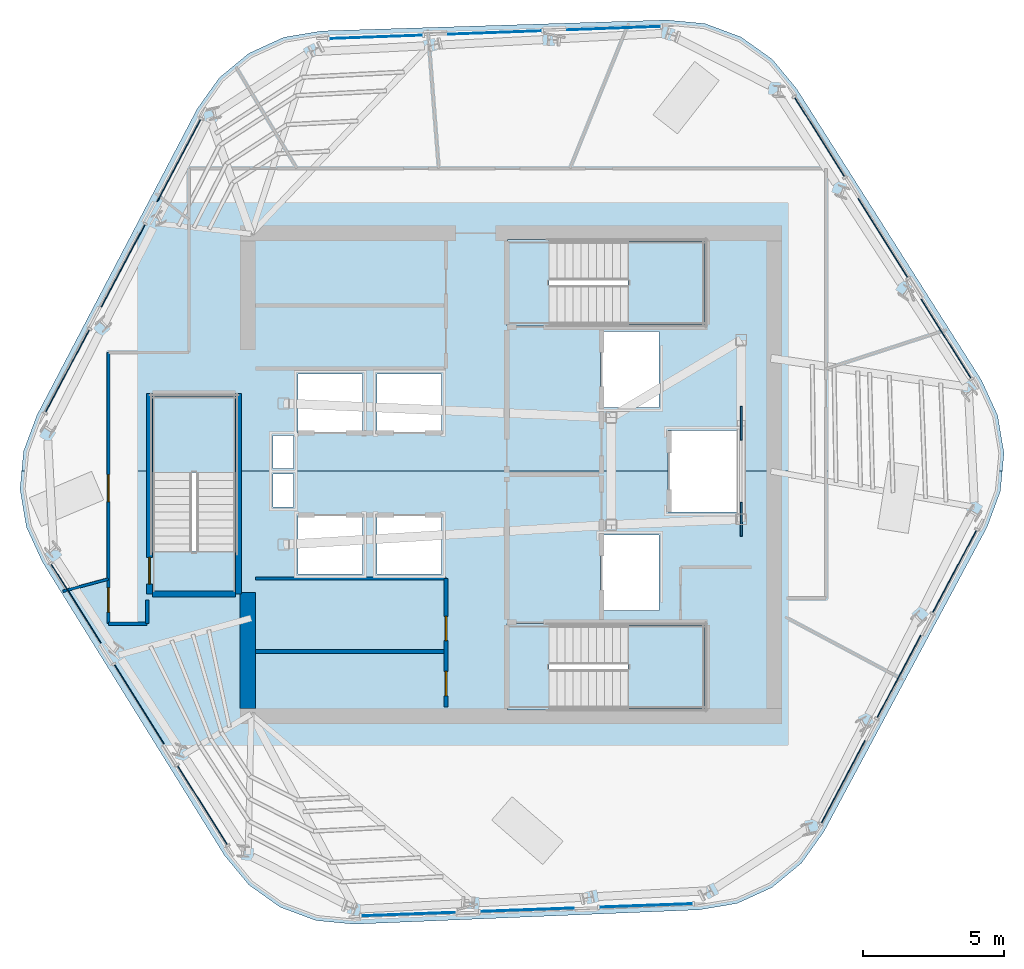
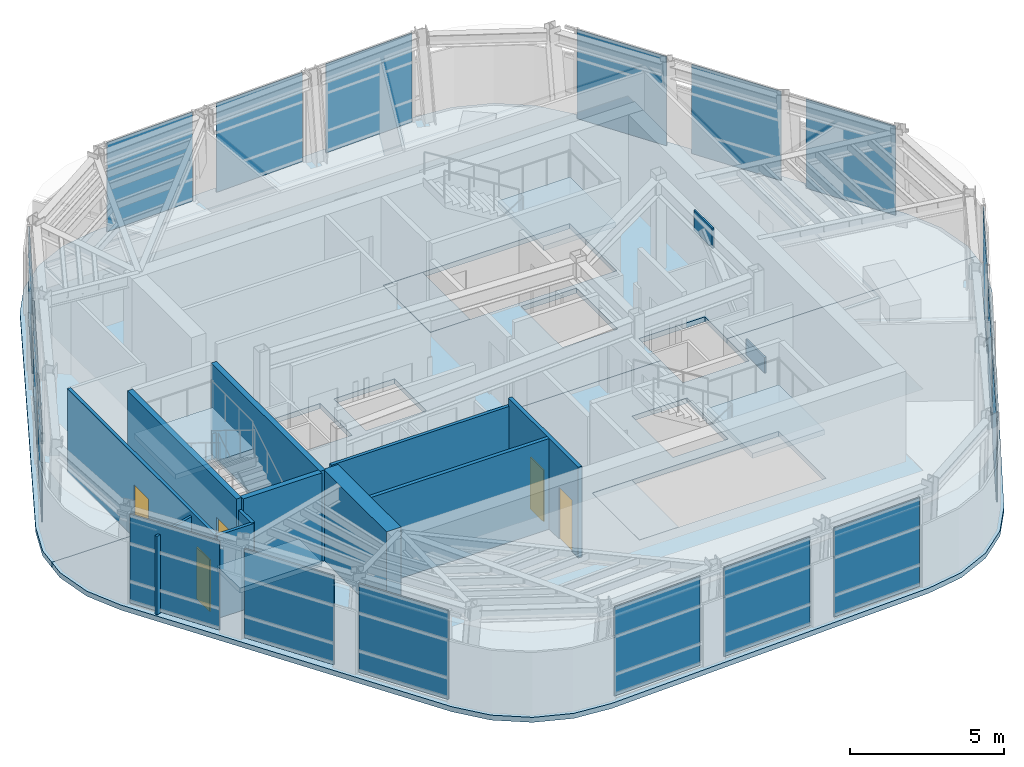
# One storey, part 6 of 13: 20 plates, 11 walls, 8 slabs, 5 doors, 5 openings, 9 elements without a shape of their own.
"""IFC4 building model written with IfcOpenShell, lengths in metres."""

from ifc_helpers import new_model, si_unit, direction, frame, frame_2d, origin, origin_2d, place, context, subcontext, project, spatial, polyline, rectangle, outline, extrude, material, layer, layer_set, type_object, element, fill, aggregate, save


model = new_model("IFC4")

# Units and contexts
model_context = context("Model", 3, precision=1e-05, world=origin(), true_north=direction((0.0, 1.0)))
body_context = subcontext(model_context, "Body", "Model", "MODEL_VIEW")
ifc_project = project(units=[si_unit("LENGTHUNIT", "METRE"), si_unit("AREAUNIT", "SQUARE_METRE"), si_unit("VOLUMEUNIT", "CUBIC_METRE"), si_unit("PLANEANGLEUNIT", "RADIAN"), si_unit("MASSUNIT", "GRAM", prefix="KILO")], contexts=[model_context])

# Site, building, storey
site_placement = place(None, origin())
site = spatial("IfcSite", under=ifc_project, at=site_placement, CompositionType="ELEMENT")
building_placement = place(site_placement, origin())
building = spatial("IfcBuilding", under=site, at=building_placement, Name="Valkerne Bourse Tower", CompositionType="ELEMENT")
storey_placement = place(building_placement, frame((0.0, 0.0, 292.60009765625)))
storey = spatial("IfcBuildingStorey", under=building, at=storey_placement, Name="L74", CompositionType="ELEMENT", Elevation=292.60009765625)

# Curtain wall, plates
ifc_material_1 = material(Name="Aluminium AA 6063-T6", Category="aluminium")
ifc_layer_1 = layer(ifc_material_1, 0.2451171875)
ifc_layer_set_1 = layer_set([ifc_layer_1], Name="Aluminium AA 6063-T6")
curtain_wall_type = type_object("IfcCurtainWallType", Name="CW-05", PredefinedType="NOTDEFINED", material=ifc_layer_set_1)
curtain_wall_1_placement = place(storey_placement, origin())
curtain_wall_1 = element("IfcCurtainWall", 1, at=curtain_wall_1_placement, inside=storey, type_object=curtain_wall_type, Name="L74 Hexagonal Stick Curtain Wall Face 1", PredefinedType="NOTDEFINED")
ifc_material_2 = material(Name="Glass IGU Low-E Double Glazed", Category="glass")
ifc_layer_2 = layer(ifc_material_2, 0.031982421875)
ifc_layer_set_2 = layer_set([ifc_layer_2], Name="Glass IGU Low-E Double Glazed")
plate_type_1 = type_object("IfcPlateType", Name="CW-PNL-IGU-32", PredefinedType="CURTAIN_PANEL", material=ifc_layer_set_2)
plate_1_placement = place(storey_placement, frame((50.439697265625, 42.6826171875, 0.02978515625), z_axis=(0.0, 0.0, 1.0), x_axis=(-0.999327909938, -0.036656901385, 0.0)))
plate_1 = element("IfcPlate", 2, at=plate_1_placement, type_object=plate_type_1, Name="CW-L74-F1 Curtain Panel 00", PredefinedType="CURTAIN_PANEL", context=body_context, shape_type="SweptSolid", body=[
    extrude(rectangle(XDim=3.2919921875, YDim=0.031982421875, at=origin_2d()), origin(), (0.0, 0.0, 1.0), 3.5400390625),
])
plate_2_placement = place(storey_placement, frame((46.230712890625, 42.5283203125, 0.02978515625), z_axis=(0.0, 0.0, 1.0), x_axis=(-0.999328747501, -0.0366340609, 0.0)))
plate_2 = element("IfcPlate", 3, at=plate_2_placement, type_object=plate_type_1, Name="CW-L74-F1 Curtain Panel 01", PredefinedType="CURTAIN_PANEL", context=body_context, shape_type="SweptSolid", body=[
    extrude(rectangle(XDim=3.2919921875, YDim=0.031982421875, at=origin_2d()), origin(), (0.0, 0.0, 1.0), 3.5400390625),
])
plate_3_placement = place(storey_placement, frame((42.021484375, 42.3740234375, 0.02978515625), z_axis=(0.0, 0.0, 1.0), x_axis=(-0.999327909938, -0.036656901385, 0.0)))
plate_3 = element("IfcPlate", 4, at=plate_3_placement, type_object=plate_type_1, Name="CW-L74-F1 Curtain Panel 02", PredefinedType="CURTAIN_PANEL", context=body_context, shape_type="SweptSolid", body=[
    extrude(rectangle(XDim=3.2919921875, YDim=0.031982421875, at=origin_2d()), origin(), (0.0, 0.0, 1.0), 3.5400390625),
])
aggregate(curtain_wall_1, [plate_1, plate_2, plate_3])

curtain_wall_2_placement = place(storey_placement, origin())
curtain_wall_2 = element("IfcCurtainWall", 5, at=curtain_wall_2_placement, inside=storey, type_object=curtain_wall_type, Name="L74 Hexagonal Stick Curtain Wall Face 2", PredefinedType="NOTDEFINED")
plate_4_placement = place(storey_placement, frame((35.038330078125, 37.993408203125, 0.02978515625), z_axis=(0.0, 0.0, 1.0), x_axis=(-0.467946624174, -0.883756729493, 0.0)))
plate_4 = element("IfcPlate", 6, at=plate_4_placement, type_object=plate_type_1, Name="CW-L74-F2 Curtain Panel 00", PredefinedType="CURTAIN_PANEL", context=body_context, shape_type="SweptSolid", body=[
    extrude(rectangle(XDim=3.2919921875, YDim=0.031982421875, at=origin_2d()), origin(), (0.0, 0.0, 1.0), 3.5400390625),
])
plate_5_placement = place(storey_placement, frame((33.0673828125, 34.27099609375, 0.02978515625), z_axis=(0.0, 0.0, 1.0), x_axis=(-0.467918263062, -0.883771746037, 0.0)))
plate_5 = element("IfcPlate", 7, at=plate_5_placement, type_object=plate_type_1, Name="CW-L74-F2 Curtain Panel 01", PredefinedType="CURTAIN_PANEL", context=body_context, shape_type="SweptSolid", body=[
    extrude(rectangle(XDim=3.2919921875, YDim=0.031982421875, at=origin_2d()), origin(), (0.0, 0.0, 1.0), 3.5400390625),
])
plate_6_placement = place(storey_placement, frame((31.096435546875, 30.548583984375, 0.02978515625), z_axis=(0.0, 0.0, 1.0), x_axis=(-0.467928081072, -0.883766547763, 0.0)))
plate_6 = element("IfcPlate", 8, at=plate_6_placement, type_object=plate_type_1, Name="CW-L74-F2 Curtain Panel 02", PredefinedType="CURTAIN_PANEL", context=body_context, shape_type="SweptSolid", body=[
    extrude(rectangle(XDim=3.2919921875, YDim=0.031982421875, at=origin_2d()), origin(), (0.0, 0.0, 1.0), 3.5400390625),
])
aggregate(curtain_wall_2, [plate_4, plate_5, plate_6])

curtain_wall_3_placement = place(storey_placement, origin())
curtain_wall_3 = element("IfcCurtainWall", 9, at=curtain_wall_3_placement, inside=storey, type_object=curtain_wall_type, Name="L74 Hexagonal Stick Curtain Wall Face 3", PredefinedType="NOTDEFINED")
plate_7_placement = place(storey_placement, frame((31.398681640625, 22.310791015625, 0.02978515625), z_axis=(0.0, 0.0, 1.0), x_axis=(0.531404557773, -0.847118171201, 0.0)))
plate_7 = element("IfcPlate", 10, at=plate_7_placement, type_object=plate_type_1, Name="CW-L74-F3 Curtain Panel 00", PredefinedType="CURTAIN_PANEL", context=body_context, shape_type="SweptSolid", body=[
    extrude(rectangle(XDim=3.2919921875, YDim=0.031982421875, at=origin_2d()), origin(), (0.0, 0.0, 1.0), 3.5400390625),
])
plate_8_placement = place(storey_placement, frame((33.63671875, 18.74267578125, 0.02978515625), z_axis=(0.0, 0.0, 1.0), x_axis=(0.531398207984, -0.847122154445, 0.0)))
plate_8 = element("IfcPlate", 11, at=plate_8_placement, type_object=plate_type_1, Name="CW-L74-F3 Curtain Panel 01", PredefinedType="CURTAIN_PANEL", context=body_context, shape_type="SweptSolid", body=[
    extrude(rectangle(XDim=3.2919921875, YDim=0.031982421875, at=origin_2d()), origin(), (0.0, 0.0, 1.0), 3.5400390625),
])
plate_9_placement = place(storey_placement, frame((35.875, 15.174560546875, 0.02978515625), z_axis=(0.0, 0.0, 1.0), x_axis=(0.531404557773, -0.847118171201, 0.0)))
plate_9 = element("IfcPlate", 12, at=plate_9_placement, type_object=plate_type_1, Name="CW-L74-F3 Curtain Panel 02", PredefinedType="CURTAIN_PANEL", context=body_context, shape_type="SweptSolid", body=[
    extrude(rectangle(XDim=3.2919921875, YDim=0.031982421875, at=origin_2d()), origin(), (0.0, 0.0, 1.0), 3.5400390625),
])
aggregate(curtain_wall_3, [plate_7, plate_8, plate_9])

curtain_wall_4_placement = place(storey_placement, origin())
curtain_wall_4 = element("IfcCurtainWall", 13, at=curtain_wall_4_placement, inside=storey, type_object=curtain_wall_type, Name="L74 Hexagonal Stick Curtain Wall Face 4", PredefinedType="NOTDEFINED")
plate_10_placement = place(storey_placement, frame((43.160400390625, 11.3173828125, 0.02978515625), z_axis=(0.0, 0.0, 1.0), x_axis=(0.999327909938, 0.036656901385, 0.0)))
plate_10 = element("IfcPlate", 14, at=plate_10_placement, type_object=plate_type_1, Name="CW-L74-F4 Curtain Panel 00", PredefinedType="CURTAIN_PANEL", context=body_context, shape_type="SweptSolid", body=[
    extrude(rectangle(XDim=3.2919921875, YDim=0.031982421875, at=origin_2d()), origin(), (0.0, 0.0, 1.0), 3.5400390625),
])
plate_11_placement = place(storey_placement, frame((47.369384765625, 11.4716796875, 0.02978515625), z_axis=(0.0, 0.0, 1.0), x_axis=(0.999328747501, 0.0366340609, 0.0)))
plate_11 = element("IfcPlate", 15, at=plate_11_placement, type_object=plate_type_1, Name="CW-L74-F4 Curtain Panel 01", PredefinedType="CURTAIN_PANEL", context=body_context, shape_type="SweptSolid", body=[
    extrude(rectangle(XDim=3.2919921875, YDim=0.031982421875, at=origin_2d()), origin(), (0.0, 0.0, 1.0), 3.5400390625),
])
plate_12_placement = place(storey_placement, frame((51.57861328125, 11.6259765625, 0.02978515625), z_axis=(0.0, 0.0, 1.0), x_axis=(0.999327909938, 0.036656901385, 0.0)))
plate_12 = element("IfcPlate", 16, at=plate_12_placement, type_object=plate_type_1, Name="CW-L74-F4 Curtain Panel 02", PredefinedType="CURTAIN_PANEL", context=body_context, shape_type="SweptSolid", body=[
    extrude(rectangle(XDim=3.2919921875, YDim=0.031982421875, at=origin_2d()), origin(), (0.0, 0.0, 1.0), 3.5400390625),
])
aggregate(curtain_wall_4, [plate_10, plate_11, plate_12])

curtain_wall_5_placement = place(storey_placement, origin())
curtain_wall_5 = element("IfcCurtainWall", 17, at=curtain_wall_5_placement, inside=storey, type_object=curtain_wall_type, Name="L74 Hexagonal Stick Curtain Wall Face 5", PredefinedType="NOTDEFINED")
plate_13_placement = place(storey_placement, frame((58.561767578125, 16.006591796875, 0.02978515625), z_axis=(0.0, 0.0, 1.0), x_axis=(0.467946624174, 0.883756729493, 0.0)))
plate_13 = element("IfcPlate", 18, at=plate_13_placement, type_object=plate_type_1, Name="CW-L74-F5 Curtain Panel 00", PredefinedType="CURTAIN_PANEL", context=body_context, shape_type="SweptSolid", body=[
    extrude(rectangle(XDim=3.2919921875, YDim=0.031982421875, at=origin_2d()), origin(), (0.0, 0.0, 1.0), 3.5400390625),
])
plate_14_placement = place(storey_placement, frame((60.53271484375, 19.72900390625, 0.02978515625), z_axis=(0.0, 0.0, 1.0), x_axis=(0.467918263062, 0.883771746037, 0.0)))
plate_14 = element("IfcPlate", 19, at=plate_14_placement, type_object=plate_type_1, Name="CW-L74-F5 Curtain Panel 01", PredefinedType="CURTAIN_PANEL", context=body_context, shape_type="SweptSolid", body=[
    extrude(rectangle(XDim=3.2919921875, YDim=0.031982421875, at=origin_2d()), origin(), (0.0, 0.0, 1.0), 3.5400390625),
])
plate_15_placement = place(storey_placement, frame((62.50341796875, 23.451416015625, 0.02978515625), z_axis=(0.0, 0.0, 1.0), x_axis=(0.467928081072, 0.883766547763, 0.0)))
plate_15 = element("IfcPlate", 20, at=plate_15_placement, type_object=plate_type_1, Name="CW-L74-F5 Curtain Panel 02", PredefinedType="CURTAIN_PANEL", context=body_context, shape_type="SweptSolid", body=[
    extrude(rectangle(XDim=3.2919921875, YDim=0.031982421875, at=origin_2d()), origin(), (0.0, 0.0, 1.0), 3.5400390625),
])
aggregate(curtain_wall_5, [plate_13, plate_14, plate_15])

curtain_wall_6_placement = place(storey_placement, origin())
curtain_wall_6 = element("IfcCurtainWall", 21, at=curtain_wall_6_placement, inside=storey, type_object=curtain_wall_type, Name="L74 Hexagonal Stick Curtain Wall Face 6", PredefinedType="NOTDEFINED")
plate_16_placement = place(storey_placement, frame((62.201416015625, 31.689208984375, 0.02978515625), z_axis=(0.0, 0.0, 1.0), x_axis=(-0.531404557773, 0.847118171201, 0.0)))
plate_16 = element("IfcPlate", 22, at=plate_16_placement, type_object=plate_type_1, Name="CW-L74-F6 Curtain Panel 00", PredefinedType="CURTAIN_PANEL", context=body_context, shape_type="SweptSolid", body=[
    extrude(rectangle(XDim=3.2919921875, YDim=0.031982421875, at=origin_2d()), origin(), (0.0, 0.0, 1.0), 3.5400390625),
])
plate_17_placement = place(storey_placement, frame((59.963134765625, 35.25732421875, 0.02978515625), z_axis=(0.0, 0.0, 1.0), x_axis=(-0.531398207984, 0.847122154445, 0.0)))
plate_17 = element("IfcPlate", 23, at=plate_17_placement, type_object=plate_type_1, Name="CW-L74-F6 Curtain Panel 01", PredefinedType="CURTAIN_PANEL", context=body_context, shape_type="SweptSolid", body=[
    extrude(rectangle(XDim=3.2919921875, YDim=0.031982421875, at=origin_2d()), origin(), (0.0, 0.0, 1.0), 3.5400390625),
])
plate_18_placement = place(storey_placement, frame((57.724853515625, 38.825439453125, 0.02978515625), z_axis=(0.0, 0.0, 1.0), x_axis=(-0.531404557773, 0.847118171201, 0.0)))
plate_18 = element("IfcPlate", 24, at=plate_18_placement, type_object=plate_type_1, Name="CW-L74-F6 Curtain Panel 02", PredefinedType="CURTAIN_PANEL", context=body_context, shape_type="SweptSolid", body=[
    extrude(rectangle(XDim=3.2919921875, YDim=0.031982421875, at=origin_2d()), origin(), (0.0, 0.0, 1.0), 3.5400390625),
])
aggregate(curtain_wall_6, [plate_16, plate_17, plate_18])

# Plates
ifc_material_3 = material(Name="Steel ASTM A572 Grade 50", Category="steel")
ifc_layer_3 = layer(ifc_material_3, 0.06005859375)
ifc_layer_set_3 = layer_set([ifc_layer_3], Name="Steel ASTM A572 Grade 50")
plate_type_2 = type_object("IfcPlateType", Name="PLT-GUS-60", PredefinedType="SHEET", material=ifc_layer_set_3)
for number, where, z_axis, x_axis, name in (
    (25, (54.949951171875, 25.300048828125, -0.18017578125), (0.0, 0.0, 1.0), (0.0, 1.0, 0.0), "L74 Brace Node Gusset Plate PLT-GUS-END-L74-464"),
    (26, (54.949951171875, 28.699951171875, 2.8935546875), (0.0, 0.0, 1.0), (0.0, 1.0, 0.0), "L74 Brace Node Gusset Plate PLT-GUS-END-L74-465"),
):
    element("IfcPlate", number, at=place(storey_placement, frame(where, z_axis=z_axis, x_axis=x_axis)), inside=storey, type_object=plate_type_2, Name=name, PredefinedType="SHEET", context=body_context, shape_type="SweptSolid", body=[
        extrude(rectangle(XDim=1.199951171875, YDim=0.06005859375, at=origin_2d()), origin(), (0.0, 0.0, 1.0), 0.800048828125),
    ])

# Slabs
ifc_material_4 = material(Name="Concrete C40/50", Category="concrete")
ifc_layer_4 = layer(ifc_material_4, 0.25)
ifc_layer_set_4 = layer_set([ifc_layer_4], Name="Concrete C40/50")
slab_type_1 = type_object("IfcSlabType", Name="SLB-RMP-LND-250", PredefinedType="LANDING", material=ifc_layer_set_4)
slab_1_placement = place(storey_placement, frame((0.0, 0.0, -0.2001953125)))
element("IfcSlab", 27, at=slab_1_placement, inside=storey, type_object=slab_type_1, Name="L74 ST-1 Floor Landing Slab", PredefinedType="LANDING", context=body_context, shape_type="SweptSolid", body=[
    extrude(outline(polyline([(46.669921875, 18.5400390625), (48.14990234375, 18.5400390625), (48.14990234375, 21.610107421875), (46.669921875, 21.610107421875), (46.669921875, 18.5400390625)])), origin(), (0.0, 0.0, 1.0), 0.2001953125),
])
slab_2_placement = place(storey_placement, frame((0.0, 0.0, -0.2001953125)))
element("IfcSlab", 28, at=slab_2_placement, inside=storey, type_object=slab_type_1, Name="L74 ST-2 Floor Landing Slab", PredefinedType="LANDING", context=body_context, shape_type="SweptSolid", body=[
    extrude(outline(polyline([(46.669921875, 32.139892578125), (48.14990234375, 32.139892578125), (48.14990234375, 35.2099609375), (46.669921875, 35.2099609375), (46.669921875, 32.139892578125)])), origin(), (0.0, 0.0, 1.0), 0.2001953125),
])
slab_3_placement = place(storey_placement, frame((0.0, 0.0, -0.2001953125)))
element("IfcSlab", 29, at=slab_3_placement, inside=storey, type_object=slab_type_1, Name="L74 ST-3 Floor Landing Slab", PredefinedType="LANDING", context=body_context, shape_type="SweptSolid", body=[
    extrude(outline(polyline([(37.110107421875, 22.669921875), (37.110107421875, 24.14990234375), (34.0400390625, 24.14990234375), (34.0400390625, 22.669921875), (37.110107421875, 22.669921875)])), origin(), (0.0, 0.0, 1.0), 0.2001953125),
])

# Stair, slab
stair_type = type_object("IfcStairType", Name="ST-CORE-1400", PredefinedType="HALF_TURN_STAIR", material=ifc_material_4)
stair_1_placement = place(storey_placement, origin())
stair_1 = element("IfcStair", 30, at=stair_1_placement, inside=storey, type_object=stair_type, Name="L74 ST-1", PredefinedType="HALF_TURN_STAIR")
ifc_layer_5 = layer(ifc_material_4, 0.179931640625)
ifc_layer_set_5 = layer_set([ifc_layer_5], Name="Concrete C40/50")
slab_type_2 = type_object("IfcSlabType", Name="SLB-ST-LND-180", PredefinedType="LANDING", material=ifc_layer_set_5)
slab_4_placement = place(storey_placement, frame((0.0, 0.0, 1.699951171875)))
slab_4 = element("IfcSlab", 31, at=slab_4_placement, type_object=slab_type_2, Name="ST-1 landing 1", PredefinedType="LANDING", context=body_context, shape_type="SweptSolid", body=[
    extrude(outline(polyline([(50.949951171875, 18.60009765625), (53.64990234375, 18.60009765625), (53.64990234375, 21.550048828125), (50.949951171875, 21.550048828125), (50.949951171875, 18.60009765625)])), origin(), (0.0, 0.0, 1.0), 0.199951171875),
])
aggregate(stair_1, [slab_4])

stair_2_placement = place(storey_placement, origin())
stair_2 = element("IfcStair", 32, at=stair_2_placement, inside=storey, type_object=stair_type, Name="L74 ST-2", PredefinedType="HALF_TURN_STAIR")
slab_5_placement = place(storey_placement, frame((0.0, 0.0, 1.699951171875)))
slab_5 = element("IfcSlab", 33, at=slab_5_placement, type_object=slab_type_2, Name="ST-2 landing 1", PredefinedType="LANDING", context=body_context, shape_type="SweptSolid", body=[
    extrude(outline(polyline([(50.949951171875, 32.199951171875), (53.64990234375, 32.199951171875), (53.64990234375, 35.14990234375), (50.949951171875, 35.14990234375), (50.949951171875, 32.199951171875)])), origin(), (0.0, 0.0, 1.0), 0.199951171875),
])
aggregate(stair_2, [slab_5])

stair_3_placement = place(storey_placement, origin())
stair_3 = element("IfcStair", 34, at=stair_3_placement, inside=storey, type_object=stair_type, Name="L74 ST-3", PredefinedType="HALF_TURN_STAIR")
slab_6_placement = place(storey_placement, frame((0.0, 0.0, 1.699951171875)))
slab_6 = element("IfcSlab", 35, at=slab_6_placement, type_object=slab_type_2, Name="ST-3 landing 1", PredefinedType="LANDING", context=body_context, shape_type="SweptSolid", body=[
    extrude(outline(polyline([(37.050048828125, 26.949951171875), (37.050048828125, 29.64990234375), (34.10009765625, 29.64990234375), (34.10009765625, 26.949951171875), (37.050048828125, 26.949951171875)])), origin(), (0.0, 0.0, 1.0), 0.199951171875),
])
aggregate(stair_3, [slab_6])

# Slabs
ifc_layer_6 = layer(ifc_material_4, 0.199951171875)
ifc_layer_set_6 = layer_set([ifc_layer_6], Name="Concrete C40/50")
slab_type_3 = type_object("IfcSlabType", Name="SLB-TOW-200", PredefinedType="FLOOR", material=ifc_layer_set_6)
slab_7_placement = place(storey_placement, frame((0.0, 0.0, -0.2001953125)))
element("IfcSlab", 36, at=slab_7_placement, inside=storey, type_object=slab_type_3, Name="L74 Hexagonal Composite Floor Slab S", PredefinedType="FLOOR", context=body_context, shape_type="SweptSolid", body=[
    extrude(outline(polyline([(64.126220703125, 26.28857421875), (63.65283203125, 25.01611328125), (57.876220703125, 14.235595703125), (57.08984375, 13.129150390625), (56.0439453125, 12.263916015625), (54.809814453125, 11.69873046875), (53.47119140625, 11.472412109375), (41.251220703125, 10.963623046875), (39.899658203125, 11.09130859375), (38.627197265625, 11.564453125), (37.520751953125, 12.350830078125), (36.655517578125, 13.396728515625), (30.20751953125, 23.789794921875), (29.642578125, 25.024169921875), (29.416015625, 26.362548828125), (29.476318359375, 27.0), (34.034912109375, 27.0), (34.034912109375, 22.6650390625), (37.114990234375, 22.6650390625), (37.114990234375, 27.0), (52.360107421875, 27.0), (52.360107421875, 25.56005859375), (54.840087890625, 25.56005859375), (54.840087890625, 27.0), (64.193359375, 27.0), (64.126220703125, 26.28857421875)]), holes=[polyline([(39.260009765625, 25.43994140625), (39.260009765625, 23.360107421875), (41.5400390625, 23.360107421875), (41.5400390625, 25.43994140625), (39.260009765625, 25.43994140625)]), polyline([(44.340087890625, 25.43994140625), (42.06005859375, 25.43994140625), (42.06005859375, 23.360107421875), (44.340087890625, 23.360107421875), (44.340087890625, 25.43994140625)]), polyline([(38.3798828125, 26.89990234375), (38.3798828125, 25.72998046875), (39.10009765625, 25.72998046875), (39.10009765625, 26.89990234375), (38.3798828125, 26.89990234375)]), polyline([(46.6650390625, 21.614990234375), (46.6650390625, 18.534912109375), (53.675048828125, 18.534912109375), (53.675048828125, 21.614990234375), (46.6650390625, 21.614990234375)]), polyline([(52.0400390625, 24.739990234375), (49.9599609375, 24.739990234375), (49.9599609375, 22.06005859375), (52.0400390625, 22.06005859375), (52.0400390625, 24.739990234375)])]), origin(), (0.0, 0.0, 1.0), 0.2001953125),
])
slab_8_placement = place(storey_placement, frame((0.0, 0.0, -0.2001953125)))
element("IfcSlab", 37, at=slab_8_placement, inside=storey, type_object=slab_type_3, Name="L74 Hexagonal Composite Floor Slab N", PredefinedType="FLOOR", context=body_context, shape_type="SweptSolid", body=[
    extrude(outline(polyline([(64.02734375, 28.978515625), (64.25390625, 27.639892578125), (64.193359375, 27.0), (54.840087890625, 27.0), (54.840087890625, 28.43994140625), (52.360107421875, 28.43994140625), (52.360107421875, 27.0), (37.114990234375, 27.0), (37.114990234375, 29.675048828125), (34.034912109375, 29.675048828125), (34.034912109375, 27.0), (29.476318359375, 27.0), (29.5439453125, 27.714111328125), (30.01708984375, 28.986328125), (35.6865234375, 39.82373046875), (36.472900390625, 40.93017578125), (37.518798828125, 41.79541015625), (38.753173828125, 42.360595703125), (40.091552734375, 42.5869140625), (52.316162109375, 42.974609375), (53.66748046875, 42.8466796875), (54.93994140625, 42.37353515625), (56.04638671875, 41.587158203125), (56.91162109375, 40.541259765625), (63.46240234375, 30.212646484375), (64.02734375, 28.978515625)]), holes=[polyline([(39.10009765625, 28.27001953125), (38.3798828125, 28.27001953125), (38.3798828125, 27.10009765625), (39.10009765625, 27.10009765625), (39.10009765625, 28.27001953125)]), polyline([(41.5400390625, 30.43994140625), (39.260009765625, 30.43994140625), (39.260009765625, 28.360107421875), (41.5400390625, 28.360107421875), (41.5400390625, 30.43994140625)]), polyline([(42.06005859375, 30.43994140625), (42.06005859375, 28.360107421875), (44.340087890625, 28.360107421875), (44.340087890625, 30.43994140625), (42.06005859375, 30.43994140625)]), polyline([(52.0400390625, 31.93994140625), (49.9599609375, 31.93994140625), (49.9599609375, 29.260009765625), (52.0400390625, 29.260009765625), (52.0400390625, 31.93994140625)]), polyline([(53.675048828125, 35.215087890625), (46.6650390625, 35.215087890625), (46.6650390625, 32.135009765625), (53.675048828125, 32.135009765625), (53.675048828125, 35.215087890625)])]), origin(), (0.0, 0.0, 1.0), 0.2001953125),
])

# Walls
ifc_material_5 = material(Name="Concrete C55/67", Category="concrete")
ifc_layer_7 = layer(ifc_material_5, 0.550048828125)
ifc_layer_set_7 = layer_set([ifc_layer_7], Name="Concrete C55/67")
wall_type_1 = type_object("IfcWallType", Name="W-CORE-550", PredefinedType="SHEAR", material=ifc_layer_set_7)
wall_1_placement = place(storey_placement, frame((37.47509765625, 18.60009765625, 0.0), z_axis=(0.0, 0.0, 1.0), x_axis=(0.0, 1.0, 0.0)))
element("IfcWall", 38, at=wall_1_placement, inside=storey, type_object=wall_type_1, Name="L74 Core Shear Wall WEST-S", PredefinedType="SHEAR", context=body_context, shape_type="SweptSolid", body=[
    extrude(rectangle(XDim=4.099853515625, YDim=0.550048828125, at=frame_2d((2.0498046875, 0.0))), origin(), (0.0, 0.0, 1.0), 3.599853515625),
])
ifc_material_6 = material(Name="Gypsum Board Steel-Stud Partition", Category="steel")
ifc_layer_8 = layer(ifc_material_6, 0.117919921875)
ifc_layer_set_8 = layer_set([ifc_layer_8], Name="Gypsum Board Steel-Stud Partition")
wall_type_2 = type_object("IfcWallType", Name="W-CORR-140", PredefinedType="PARTITIONING", material=ifc_layer_set_8)
wall_2_placement = place(storey_placement, frame((37.75, 23.199951171875, 0.0), z_axis=(0.0, 0.0, 1.0), x_axis=(1.0, 0.0, 0.0)))
element("IfcWall", 39, at=wall_2_placement, inside=storey, type_object=wall_type_2, Name="L74 LV7 Low-Bank North Wall", PredefinedType="PARTITIONING", context=body_context, shape_type="SweptSolid", body=[
    extrude(rectangle(XDim=6.75, YDim=0.117919921875, at=frame_2d((3.375, 0.0))), origin(), (0.0, 0.0, 1.0), 3.2998046875),
])
wall_3_placement = place(storey_placement, frame((33.91796875, 22.43994140625, 0.0), z_axis=(0.0, 0.0, 1.0), x_axis=(0.002325575107, -0.999997295847, 0.0)))
element("IfcWall", 40, at=wall_3_placement, inside=storey, type_object=wall_type_2, Name="L74 Corridor Enclosure Wall", PredefinedType="PARTITIONING", context=body_context, shape_type="SweptSolid", body=[
    extrude(rectangle(XDim=0.83984375, YDim=0.117919921875, at=frame_2d((0.419921875, 0.0))), origin(), (0.0, 0.0, 1.0), 3.2998046875),
])
wall_4_placement = place(storey_placement, frame((33.919921875, 21.60009765625, 0.0), z_axis=(0.0, 0.0, 1.0), x_axis=(-1.0, 0.0, 0.0)))
element("IfcWall", 41, at=wall_4_placement, inside=storey, type_object=wall_type_2, Name="L74 Corridor Enclosure Wall", PredefinedType="PARTITIONING", context=body_context, shape_type="SweptSolid", body=[
    extrude(rectangle(XDim=1.369873046875, YDim=0.117919921875, at=frame_2d((0.68505859375, 0.0))), origin(), (0.0, 0.0, 1.0), 3.2998046875),
])

# Wall, openings, doors
wall_5_placement = place(storey_placement, frame((32.550048828125, 21.60009765625, 0.0), z_axis=(0.0, 0.0, 1.0), x_axis=(0.0, 1.0, 0.0)))
wall_5 = element("IfcWall", 42, at=wall_5_placement, inside=storey, type_object=wall_type_2, Name="L74 Corridor Enclosure Wall", PredefinedType="PARTITIONING", context=body_context, shape_type="SweptSolid", body=[
    extrude(rectangle(XDim=9.599853515625, YDim=0.117919921875, at=frame_2d((4.7998046875, 0.0))), origin(), (0.0, 0.0, 1.0), 3.2998046875),
])
opening_1_placement = place(wall_5_placement, frame((4.324951171875, 0.0, 0.0)))
opening_1 = element("IfcOpeningElement", 43, at=opening_1_placement, cuts=wall_5, Name="Opening D-OF-950", PredefinedType="OPENING", context=body_context, shape_type="SweptSolid", body=[
    extrude(rectangle(XDim=0.949951171875, YDim=2.10009765625, at=frame_2d((0.47509765625, 1.050048828125))), frame((0.0, 0.06884765625, 0.0), z_axis=(0.0, -1.0, 0.0), x_axis=(1.0, 0.0, 0.0)), (0.0, 0.0, 1.0), 0.137939453125),
])
opening_2_placement = place(wall_5_placement, frame((0.409912109375, 0.0, 0.0)))
opening_2 = element("IfcOpeningElement", 44, at=opening_2_placement, cuts=wall_5, Name="Opening D-WC-900", PredefinedType="OPENING", context=body_context, shape_type="SweptSolid", body=[
    extrude(rectangle(XDim=0.860107421875, YDim=2.050048828125, at=frame_2d((0.43017578125, 1.02490234375))), frame((0.0, 0.06884765625, 0.0), z_axis=(0.0, -1.0, 0.0), x_axis=(1.0, 0.0, 0.0)), (0.0, 0.0, 1.0), 0.137939453125),
])
ifc_material_7 = material(Name="Architectural White Oak Timber", Category="wood")
door_type_1 = type_object("IfcDoorType", Name="DR-OFF-950", OperationType="NOTDEFINED", PredefinedType="DOOR", material=ifc_material_7)
door_1_placement = place(opening_1_placement, origin())
door_1 = element("IfcDoor", 45, at=door_1_placement, inside=storey, type_object=door_type_1, Name="L74 L74 Member Collaboration Club Salon 3 Door", OperationType="SINGLE_SWING_LEFT", OverallHeight=2.10009765625, OverallWidth=0.949951171875, PredefinedType="DOOR", context=body_context, shape_type="SweptSolid", body=[
    extrude(rectangle(XDim=0.949951171875, YDim=2.10009765625, at=frame_2d((0.47509765625, 1.050048828125))), frame((0.0, 0.02490234375, 0.0), z_axis=(0.0, -1.0, 0.0), x_axis=(1.0, 0.0, 0.0)), (0.0, 0.0, 1.0), 0.050048828125),
])
fill(opening_1, door_1)
door_type_2 = type_object("IfcDoorType", Name="DR-WC-900", OperationType="NOTDEFINED", PredefinedType="DOOR", material=ifc_material_7)
door_2_placement = place(opening_2_placement, origin())
door_2 = element("IfcDoor", 46, at=door_2_placement, inside=storey, type_object=door_type_2, Name="L74 L74 Executive Economics Study Room 7 Door", OperationType="SINGLE_SWING_LEFT", OverallHeight=2.050048828125, OverallWidth=0.860107421875, PredefinedType="DOOR", context=body_context, shape_type="SweptSolid", body=[
    extrude(rectangle(XDim=0.860107421875, YDim=2.050048828125, at=frame_2d((0.43017578125, 1.02490234375))), frame((0.0, 0.02490234375, 0.0), z_axis=(0.0, -1.0, 0.0), x_axis=(1.0, 0.0, 0.0)), (0.0, 0.0, 1.0), 0.050048828125),
])
fill(opening_2, door_2)

# Wall
ifc_layer_9 = layer(ifc_material_6, 0.092041015625)
ifc_layer_set_9 = layer_set([ifc_layer_9], Name="Gypsum Board Steel-Stud Partition")
wall_type_3 = type_object("IfcWallType", Name="W-PART-115", PredefinedType="PARTITIONING", material=ifc_layer_set_9)
wall_6_placement = place(storey_placement, frame((32.544921875, 23.180419921875, 0.0), z_axis=(0.0, 0.0, 1.0), x_axis=(-0.965900951804, -0.258911860109, 0.0)))
element("IfcWall", 47, at=wall_6_placement, inside=storey, type_object=wall_type_3, Name="L74 Suite Partition P07", PredefinedType="PARTITIONING", context=body_context, shape_type="SweptSolid", body=[
    extrude(rectangle(XDim=1.666259765625, YDim=0.092041015625, at=frame_2d((0.8330078125, 0.0))), origin(), (0.0, 0.0, 1.0), 3.114990234375),
])

# Wall, opening, door
ifc_layer_10 = layer(ifc_material_4, 0.199951171875)
ifc_layer_set_10 = layer_set([ifc_layer_10], Name="Concrete C40/50")
wall_type_4 = type_object("IfcWallType", Name="W-SHF-200", PredefinedType="SHEAR", material=ifc_layer_set_10)
wall_7_placement = place(storey_placement, frame((34.0, 22.64990234375, 0.0), z_axis=(0.0, 0.0, 1.0), x_axis=(0.0, 1.0, 0.0)))
wall_7 = element("IfcWall", 48, at=wall_7_placement, inside=storey, type_object=wall_type_4, Name="L74 Exit Stair ST-3 Structural Shaft Wall West", PredefinedType="SHEAR", context=body_context, shape_type="SweptSolid", body=[
    extrude(rectangle(XDim=7.10009765625, YDim=0.199951171875, at=frame_2d((3.550048828125, 0.0))), origin(), (0.0, 0.0, 1.0), 3.599853515625),
])
opening_3_placement = place(wall_7_placement, frame((0.35009765625, 0.0, 0.0)))
opening_3 = element("IfcOpeningElement", 49, at=opening_3_placement, cuts=wall_7, Name="Opening D-ST-950", PredefinedType="OPENING", context=body_context, shape_type="SweptSolid", body=[
    extrude(rectangle(XDim=0.949951171875, YDim=2.10009765625, at=frame_2d((0.47509765625, 1.050048828125))), frame((0.0, 0.10986328125, 0.0), z_axis=(0.0, -1.0, 0.0), x_axis=(1.0, 0.0, 0.0)), (0.0, 0.0, 1.0), 0.219970703125),
])
ifc_material_8 = material(Name="Galvanised Painted Steel", Category="steel")
door_type_3 = type_object("IfcDoorType", Name="DR-STAIR-950", OperationType="NOTDEFINED", PredefinedType="DOOR", material=ifc_material_8)
door_3_placement = place(opening_3_placement, origin())
door_3 = element("IfcDoor", 50, at=door_3_placement, inside=storey, type_object=door_type_3, Name="L74 Exit Stair ST-3 Door", OperationType="SINGLE_SWING_LEFT", OverallHeight=2.10009765625, OverallWidth=0.949951171875, PredefinedType="DOOR", context=body_context, shape_type="SweptSolid", body=[
    extrude(rectangle(XDim=0.949951171875, YDim=2.10009765625, at=frame_2d((0.47509765625, 1.050048828125))), frame((0.0, 0.02490234375, 0.0), z_axis=(0.0, -1.0, 0.0), x_axis=(1.0, 0.0, 0.0)), (0.0, 0.0, 1.0), 0.050048828125),
])
fill(opening_3, door_3)

# Walls
wall_8_placement = place(storey_placement, frame((34.10009765625, 22.64990234375, 0.0), z_axis=(0.0, 0.0, 1.0), x_axis=(1.0, 0.0, 0.0)))
element("IfcWall", 51, at=wall_8_placement, inside=storey, type_object=wall_type_4, Name="L74 Exit Stair ST-3 Structural Shaft Wall South", PredefinedType="SHEAR", context=body_context, shape_type="SweptSolid", body=[
    extrude(rectangle(XDim=2.949951171875, YDim=0.199951171875, at=frame_2d((1.47509765625, 0.0))), origin(), (0.0, 0.0, 1.0), 3.599853515625),
])
wall_9_placement = place(storey_placement, frame((37.14990234375, 22.64990234375, 0.0), z_axis=(0.0, 0.0, 1.0), x_axis=(0.0, 1.0, 0.0)))
element("IfcWall", 52, at=wall_9_placement, inside=storey, type_object=wall_type_4, Name="L74 Exit Stair ST-3 Structural Shaft Wall East", PredefinedType="SHEAR", context=body_context, shape_type="SweptSolid", body=[
    extrude(rectangle(XDim=7.10009765625, YDim=0.199951171875, at=frame_2d((3.550048828125, 0.0))), origin(), (0.0, 0.0, 1.0), 3.599853515625),
])

# Wall, openings, doors
ifc_material_9 = material(Name="Moisture-Resistant Gypsum Partition", Category="gypsum")
ifc_layer_11 = layer(ifc_material_9, 0.139892578125)
ifc_layer_set_11 = layer_set([ifc_layer_11], Name="Moisture-Resistant Gypsum Partition")
wall_type_5 = type_object("IfcWallType", Name="W-WET-140", PredefinedType="PARTITIONING", material=ifc_layer_set_11)
wall_10_placement = place(storey_placement, frame((44.5, 18.64990234375, 0.0), z_axis=(0.0, 0.0, 1.0), x_axis=(0.0, 1.0, 0.0)))
wall_10 = element("IfcWall", 53, at=wall_10_placement, inside=storey, type_object=wall_type_5, Name="L74 LV7 Low-Bank East Wall", PredefinedType="PARTITIONING", context=body_context, shape_type="SweptSolid", body=[
    extrude(rectangle(XDim=4.550048828125, YDim=0.139892578125, at=frame_2d((2.27490234375, 0.0))), origin(), (0.0, 0.0, 1.0), 3.599853515625),
])
opening_4_placement = place(wall_10_placement, frame((0.39990234375, 0.0, 0.0)))
opening_4 = element("IfcOpeningElement", 54, at=opening_4_placement, cuts=wall_10, Name="Opening D-WC-900", PredefinedType="OPENING", context=body_context, shape_type="SweptSolid", body=[
    extrude(rectangle(XDim=0.860107421875, YDim=2.050048828125, at=frame_2d((0.43017578125, 1.02490234375))), frame((0.0, 0.079833984375, 0.0), z_axis=(0.0, -1.0, 0.0), x_axis=(1.0, 0.0, 0.0)), (0.0, 0.0, 1.0), 0.159912109375),
])
opening_5_placement = place(wall_10_placement, frame((2.35009765625, 0.0, 0.0)))
opening_5 = element("IfcOpeningElement", 55, at=opening_5_placement, cuts=wall_10, Name="Opening D-WC-900", PredefinedType="OPENING", context=body_context, shape_type="SweptSolid", body=[
    extrude(rectangle(XDim=0.860107421875, YDim=2.050048828125, at=frame_2d((0.43017578125, 1.02490234375))), frame((0.0, 0.079833984375, 0.0), z_axis=(0.0, -1.0, 0.0), x_axis=(1.0, 0.0, 0.0)), (0.0, 0.0, 1.0), 0.159912109375),
])
door_4_placement = place(opening_4_placement, origin())
door_4 = element("IfcDoor", 56, at=door_4_placement, inside=storey, type_object=door_type_2, Name="L74 Beverage Kitchen Door", OperationType="SINGLE_SWING_RIGHT", OverallHeight=2.050048828125, OverallWidth=0.860107421875, PredefinedType="DOOR", context=body_context, shape_type="SweptSolid", body=[
    extrude(rectangle(XDim=0.860107421875, YDim=2.050048828125, at=frame_2d((0.43017578125, 1.02490234375))), frame((0.0, 0.02490234375, 0.0), z_axis=(0.0, -1.0, 0.0), x_axis=(1.0, 0.0, 0.0)), (0.0, 0.0, 1.0), 0.050048828125),
])
fill(opening_4, door_4)
door_5_placement = place(opening_5_placement, origin())
door_5 = element("IfcDoor", 57, at=door_5_placement, inside=storey, type_object=door_type_2, Name="L74 Compliance Briefing Office Door", OperationType="SINGLE_SWING_RIGHT", OverallHeight=2.050048828125, OverallWidth=0.860107421875, PredefinedType="DOOR", context=body_context, shape_type="SweptSolid", body=[
    extrude(rectangle(XDim=0.860107421875, YDim=2.050048828125, at=frame_2d((0.43017578125, 1.02490234375))), frame((0.0, 0.02490234375, 0.0), z_axis=(0.0, -1.0, 0.0), x_axis=(1.0, 0.0, 0.0)), (0.0, 0.0, 1.0), 0.050048828125),
])
fill(opening_5, door_5)

# Wall
wall_11_placement = place(storey_placement, frame((37.75, 20.610107421875, 0.0), z_axis=(0.0, 0.0, 1.0), x_axis=(1.0, 0.0, 0.0)))
element("IfcWall", 58, at=wall_11_placement, inside=storey, type_object=wall_type_5, Name="L74 LV7 Low-Bank Sub-Divider", PredefinedType="PARTITIONING", context=body_context, shape_type="SweptSolid", body=[
    extrude(rectangle(XDim=6.75, YDim=0.139892578125, at=frame_2d((3.375, 0.0))), origin(), (0.0, 0.0, 1.0), 3.599853515625),
])

save(model, "model.ifc")
